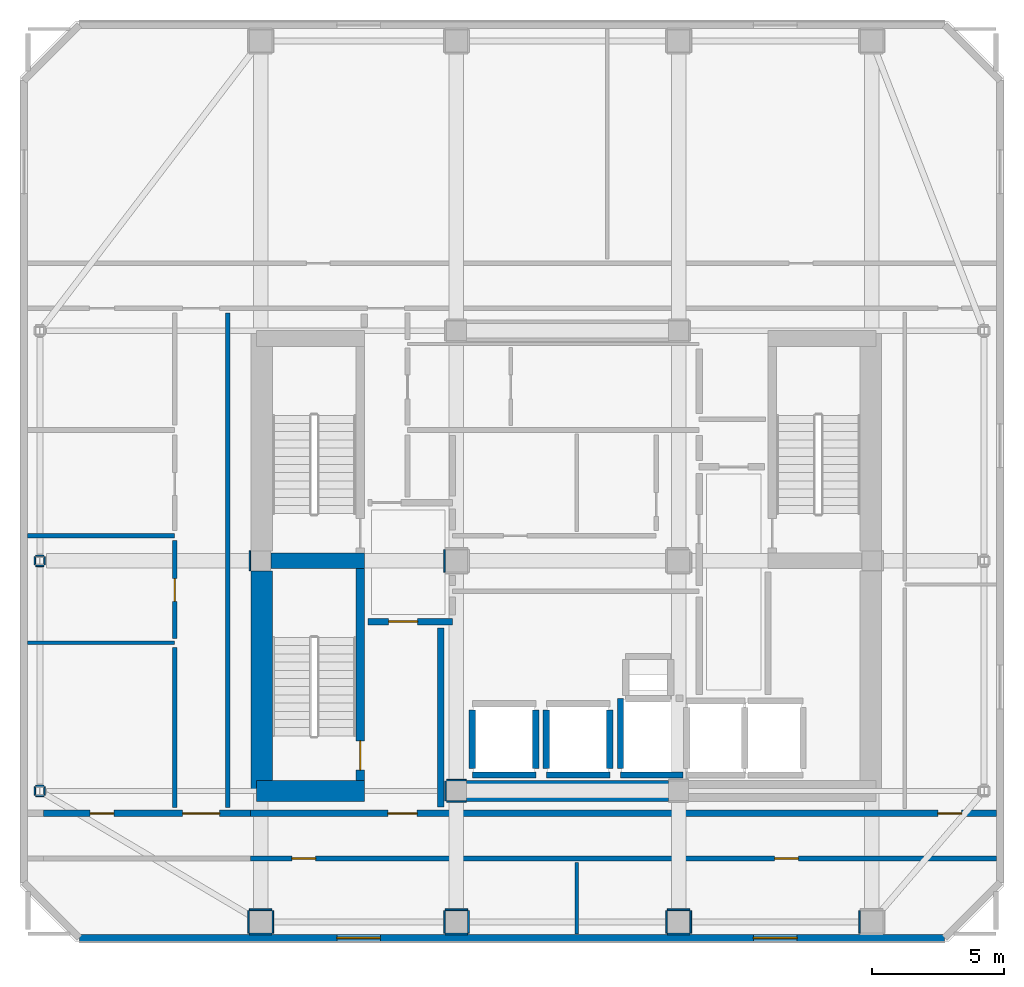
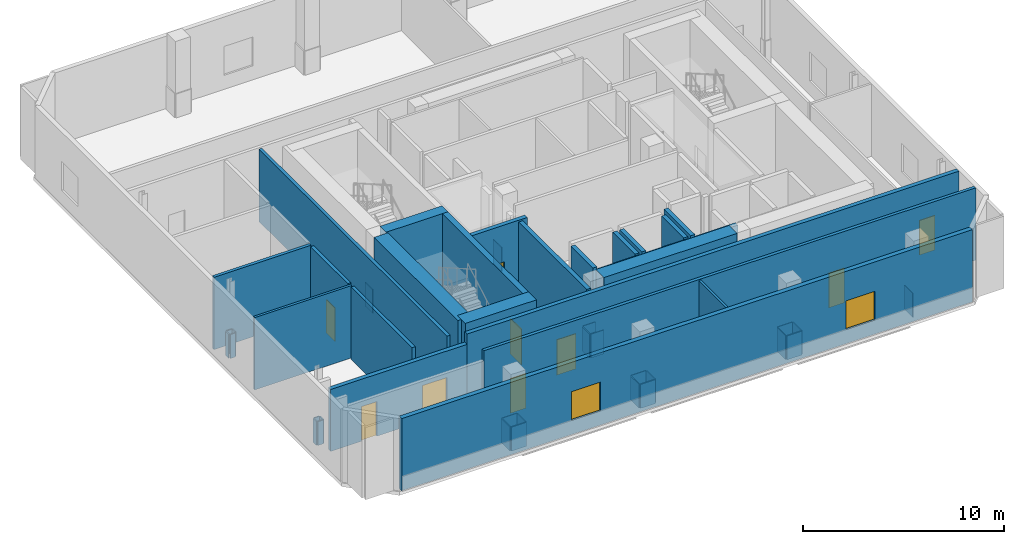
# One storey, part 4 of 10: 51 walls, 9 doors, 2 windows, 11 openings.
"""IFC4 building model written with IfcOpenShell, lengths in metres."""

from ifc_helpers import new_model, si_unit, direction, frame, frame_2d, origin, place, context, subcontext, project, spatial, rectangle, extrude, material, layer, layer_set, type_object, element, fill, save


model = new_model("IFC4")

# Units and contexts
model_context = context("Model", 3, precision=1e-05, world=origin(), true_north=direction((0.0, 1.0)))
body_context = subcontext(model_context, "Body", "Model", "MODEL_VIEW")
ifc_project = project(units=[si_unit("LENGTHUNIT", "METRE"), si_unit("AREAUNIT", "SQUARE_METRE"), si_unit("VOLUMEUNIT", "CUBIC_METRE"), si_unit("PLANEANGLEUNIT", "RADIAN"), si_unit("MASSUNIT", "GRAM", prefix="KILO")], contexts=[model_context])

# Site, building, storey
site_placement = place(None, origin())
site = spatial("IfcSite", under=ifc_project, at=site_placement, CompositionType="ELEMENT")
building_placement = place(site_placement, origin())
building = spatial("IfcBuilding", under=site, at=building_placement, Name="Solanera Arch Residences", CompositionType="ELEMENT")
storey_placement = place(building_placement, frame((0.0, 0.0, 268.8798828125)))
storey = spatial("IfcBuildingStorey", under=building, at=storey_placement, Name="L78", CompositionType="ELEMENT", Elevation=268.8798828125)

# Walls
ifc_material_1 = material(Name="Fire-Rated Gypsum Stud Partition", Category="gypsum")
ifc_layer_1 = layer(ifc_material_1, 0.06005859375)
ifc_layer_set_1 = layer_set([ifc_layer_1], Name="Fire-Rated Gypsum Stud Partition")
wall_type_1 = type_object("IfcWallType", Name="Column Acoustic Furring Wall 60", PredefinedType="PARTITIONING", material=ifc_layer_set_1)
for number, where, z_axis, x_axis, name in (
    (1, (20.425048828125, 21.593017578125, 0.0), (0.0, 0.0, 1.0), (1.0, 0.0, 0.0), "L78 Column Furring 1S"),
    (2, (20.425048828125, 22.406982421875, 0.0), (0.0, 0.0, 1.0), (1.0, 0.0, 0.0), "L78 Column Furring 1N"),
):
    element("IfcWall", number, at=place(storey_placement, frame(where, z_axis=z_axis, x_axis=x_axis)), inside=storey, type_object=wall_type_1, Name=name, PredefinedType="PARTITIONING", context=body_context, shape_type="SweptSolid", body=[
        extrude(rectangle(XDim=0.741943359375, YDim=0.06005859375, at=frame_2d((0.37109375, 0.0))), origin(), (0.0, 0.0, 1.0), 1.4501953125),
    ])
for number, where, z_axis, x_axis, name in (
    (3, (20.39306640625, 21.625, 0.0), (0.0, 0.0, 1.0), (0.0, 1.0, 0.0), "L78 Column Furring 1W"),
    (4, (12.992919921875, 30.324951171875, 0.0), (0.0, 0.0, 1.0), (0.0, 1.0, 0.0), "L78 Column Furring 5W"),
):
    element("IfcWall", number, at=place(storey_placement, frame(where, z_axis=z_axis, x_axis=x_axis)), inside=storey, type_object=wall_type_1, Name=name, PredefinedType="PARTITIONING", context=body_context, shape_type="SweptSolid", body=[
        extrude(rectangle(XDim=0.75, YDim=0.06005859375, at=frame_2d((0.375, 0.0))), origin(), (0.0, 0.0, 1.0), 1.4501953125),
    ])
wall_1_placement = place(storey_placement, frame((20.343017578125, 30.27490234375, 0.0), z_axis=(0.0, 0.0, 1.0), x_axis=(0.0, 1.0, 0.0)))
element("IfcWall", 5, at=wall_1_placement, inside=storey, type_object=wall_type_1, Name="L78 Column Furring 7W", PredefinedType="PARTITIONING", context=body_context, shape_type="SweptSolid", body=[
    extrude(rectangle(XDim=0.85009765625, YDim=0.06005859375, at=frame_2d((0.425048828125, 0.0))), origin(), (0.0, 0.0, 1.0), 1.4501953125),
])
for number, where, z_axis, x_axis, name in (
    (6, (12.97509765625, 16.593017578125, 0.0), (0.0, 0.0, 1.0), (1.0, 0.0, 0.0), "L78 Column Furring 9S"),
    (7, (12.97509765625, 17.507080078125, 0.0), (0.0, 0.0, 1.0), (1.0, 0.0, 0.0), "L78 Column Furring 9N"),
):
    element("IfcWall", number, at=place(storey_placement, frame(where, z_axis=z_axis, x_axis=x_axis)), inside=storey, type_object=wall_type_1, Name=name, PredefinedType="PARTITIONING", context=body_context, shape_type="SweptSolid", body=[
        extrude(rectangle(XDim=0.849853515625, YDim=0.06005859375, at=frame_2d((0.4248046875, 0.0))), origin(), (0.0, 0.0, 1.0), 1.4501953125),
    ])
for number, where, z_axis, x_axis, name in (
    (8, (12.943115234375, 16.625, 0.0), (0.0, 0.0, 1.0), (0.0, 1.0, 0.0), "L78 Column Furring 9W"),
    (9, (13.85693359375, 16.625, 0.0), (0.0, 0.0, 1.0), (0.0, 1.0, 0.0), "L78 Column Furring 9E"),
    (10, (20.375, 16.593017578125, 0.0), (0.0, 0.0, 1.0), (1.0, 0.0, 0.0), "L78 Column Furring 11S"),
    (11, (20.375, 17.507080078125, 0.0), (0.0, 0.0, 1.0), (1.0, 0.0, 0.0), "L78 Column Furring 11N"),
    (12, (20.343017578125, 16.625, 0.0), (0.0, 0.0, 1.0), (0.0, 1.0, 0.0), "L78 Column Furring 11W"),
    (13, (21.257080078125, 16.625, 0.0), (0.0, 0.0, 1.0), (0.0, 1.0, 0.0), "L78 Column Furring 11E"),
    (14, (28.77490234375, 16.593017578125, 0.0), (0.0, 0.0, 1.0), (1.0, 0.0, 0.0), "L78 Column Furring 13S"),
    (15, (28.77490234375, 17.507080078125, 0.0), (0.0, 0.0, 1.0), (1.0, 0.0, 0.0), "L78 Column Furring 13N"),
    (16, (28.742919921875, 16.625, 0.0), (0.0, 0.0, 1.0), (0.0, 1.0, 0.0), "L78 Column Furring 13W"),
    (17, (29.656982421875, 16.625, 0.0), (0.0, 0.0, 1.0), (0.0, 1.0, 0.0), "L78 Column Furring 13E"),
    (18, (36.04296875, 16.625, 0.0), (0.0, 0.0, 1.0), (0.0, 1.0, 0.0), "L78 Column Furring 15W"),
):
    element("IfcWall", number, at=place(storey_placement, frame(where, z_axis=z_axis, x_axis=x_axis)), inside=storey, type_object=wall_type_1, Name=name, PredefinedType="PARTITIONING", context=body_context, shape_type="SweptSolid", body=[
        extrude(rectangle(XDim=0.85009765625, YDim=0.06005859375, at=frame_2d((0.425048828125, 0.0))), origin(), (0.0, 0.0, 1.0), 1.4501953125),
    ])
for number, where, z_axis, x_axis, name in (
    (19, (4.89697265625, 21.81396484375, 0.0), (0.0, 0.0, 1.0), (1.0, 0.0, 0.0), "L78 Column Furring 17S"),
    (20, (4.89697265625, 22.18603515625, 0.0), (0.0, 0.0, 1.0), (1.0, 0.0, 0.0), "L78 Column Furring 17N"),
):
    element("IfcWall", number, at=place(storey_placement, frame(where, z_axis=z_axis, x_axis=x_axis)), inside=storey, type_object=wall_type_1, Name=name, PredefinedType="PARTITIONING", context=body_context, shape_type="SweptSolid", body=[
        extrude(rectangle(XDim=0.304931640625, YDim=0.06005859375, at=frame_2d((0.15234375, 0.0))), origin(), (0.0, 0.0, 1.0), 1.4501953125),
    ])
for number, where, z_axis, x_axis, name in (
    (21, (4.864990234375, 21.845947265625, 0.0), (0.0, 0.0, 1.0), (0.0, 1.0, 0.0), "L78 Column Furring 17W"),
    (22, (5.23388671875, 21.845947265625, 0.0), (0.0, 0.0, 1.0), (0.0, 1.0, 0.0), "L78 Column Furring 17E"),
):
    element("IfcWall", number, at=place(storey_placement, frame(where, z_axis=z_axis, x_axis=x_axis)), inside=storey, type_object=wall_type_1, Name=name, PredefinedType="PARTITIONING", context=body_context, shape_type="SweptSolid", body=[
        extrude(rectangle(XDim=0.30810546875, YDim=0.06005859375, at=frame_2d((0.154052734375, 0.0))), origin(), (0.0, 0.0, 1.0), 1.4501953125),
    ])
for number, where, z_axis, x_axis, name in (
    (23, (4.89697265625, 30.513916015625, 0.0), (0.0, 0.0, 1.0), (1.0, 0.0, 0.0), "L78 Column Furring 19S"),
    (24, (4.89697265625, 30.885986328125, 0.0), (0.0, 0.0, 1.0), (1.0, 0.0, 0.0), "L78 Column Furring 19N"),
):
    element("IfcWall", number, at=place(storey_placement, frame(where, z_axis=z_axis, x_axis=x_axis)), inside=storey, type_object=wall_type_1, Name=name, PredefinedType="PARTITIONING", context=body_context, shape_type="SweptSolid", body=[
        extrude(rectangle(XDim=0.304931640625, YDim=0.06005859375, at=frame_2d((0.15234375, 0.0))), origin(), (0.0, 0.0, 1.0), 1.4501953125),
    ])
for number, where, z_axis, x_axis, name in (
    (25, (4.864990234375, 30.5458984375, 0.0), (0.0, 0.0, 1.0), (0.0, 1.0, 0.0), "L78 Column Furring 19W"),
    (26, (5.23388671875, 30.5458984375, 0.0), (0.0, 0.0, 1.0), (0.0, 1.0, 0.0), "L78 Column Furring 19E"),
):
    element("IfcWall", number, at=place(storey_placement, frame(where, z_axis=z_axis, x_axis=x_axis)), inside=storey, type_object=wall_type_1, Name=name, PredefinedType="PARTITIONING", context=body_context, shape_type="SweptSolid", body=[
        extrude(rectangle(XDim=0.30810546875, YDim=0.06005859375, at=frame_2d((0.154052734375, 0.0))), origin(), (0.0, 0.0, 1.0), 1.4501953125),
    ])

# Wall, opening, door
ifc_material_2 = material(Name="Concrete C40/50 (f'c = 45 MPa)", Category="concrete")
ifc_layer_2 = layer(ifc_material_2, 0.320068359375)
ifc_layer_set_2 = layer_set([ifc_layer_2], Name="Concrete C40/50 (f'c = 45 MPa)")
wall_type_2 = type_object("IfcWallType", Name="Core Shear Wall CW-320", PredefinedType="SHEAR", material=ifc_layer_set_2)
wall_2_placement = place(storey_placement, frame((17.159912109375, 22.39990234375, 0.0), z_axis=(0.0, 0.0, 1.0), x_axis=(0.0, 1.0, 0.0)))
wall_2 = element("IfcWall", 27, at=wall_2_placement, inside=storey, type_object=wall_type_2, Name="L78 Stair ST-T3 East Shear Wall", PredefinedType="SHEAR", context=body_context, shape_type="SweptSolid", body=[
    extrude(rectangle(XDim=8.0, YDim=0.320068359375, at=frame_2d((4.0, 0.0))), origin(), (0.0, 0.0, 1.0), 4.60009765625),
])
opening_1_placement = place(wall_2_placement, frame((0.389892578125, 0.0, 0.0)))
opening_1 = element("IfcOpeningElement", 28, at=opening_1_placement, cuts=wall_2, Name="Opening DF-01", PredefinedType="OPENING", context=body_context, shape_type="SweptSolid", body=[
    extrude(rectangle(XDim=1.10009765625, YDim=2.14990234375, at=frame_2d((0.550048828125, 1.074951171875))), frame((0.0, 0.169921875, 0.0), z_axis=(0.0, -1.0, 0.0), x_axis=(1.0, 0.0, 0.0)), (0.0, 0.0, 1.0), 0.3401),
])
ifc_material_3 = material(Name="Fire-Rated Architectural Hardwood", Category="wood")
door_type_1 = type_object("IfcDoorType", Name="Stair Exit Fire Door DF-01", OperationType="NOTDEFINED", PredefinedType="DOOR", material=ifc_material_3)
door_1_placement = place(opening_1_placement, origin())
door_1 = element("IfcDoor", 29, at=door_1_placement, inside=storey, type_object=door_type_1, Name="DR-L78-STAIR-ST-T3", OperationType="SINGLE_SWING_LEFT", OverallHeight=2.14990234375, OverallWidth=1.10009765625, PredefinedType="DOOR", context=body_context, shape_type="SweptSolid", body=[
    extrude(rectangle(XDim=1.10009765625, YDim=2.14990234375, at=frame_2d((0.550048828125, 1.074951171875))), frame((0.0, 0.02490234375, 0.0), z_axis=(0.0, -1.0, 0.0), x_axis=(1.0, 0.0, 0.0)), (0.0, 0.0, 1.0), 0.050048828125),
])
fill(opening_1, door_1)

# Walls
ifc_material_4 = material(Name="Concrete C40/50 (f'c = 45 MPa)", Category="concrete")
ifc_layer_3 = layer(ifc_material_4, 0.60009765625)
ifc_layer_set_3 = layer_set([ifc_layer_3], Name="Concrete C40/50 (f'c = 45 MPa)")
wall_type_3 = type_object("IfcWallType", Name="Core Shear Wall CW-600", PredefinedType="SHEAR", material=ifc_layer_set_3)
wall_3_placement = place(storey_placement, frame((13.780029296875, 30.699951171875, 0.0), z_axis=(0.0, 0.0, 1.0), x_axis=(1.0, 0.0, 0.0)))
element("IfcWall", 30, at=wall_3_placement, inside=storey, type_object=wall_type_3, Name="L78 West Stair Divider Shear Wall", PredefinedType="SHEAR", context=body_context, shape_type="SweptSolid", body=[
    extrude(rectangle(XDim=3.5400390625, YDim=0.60009765625, at=frame_2d((1.77001953125, 0.0))), origin(), (0.0, 0.0, 1.0), 4.60009765625),
])
ifc_material_5 = material(Name="Concrete C40/50 (f'c = 45 MPa)", Category="concrete")
ifc_layer_4 = layer(ifc_material_5, 0.800048828125)
ifc_layer_set_4 = layer_set([ifc_layer_4], Name="Concrete C40/50 (f'c = 45 MPa)")
wall_type_4 = type_object("IfcWallType", Name="Core Shear Wall CW-800", PredefinedType="SHEAR", material=ifc_layer_set_4)
wall_4_placement = place(storey_placement, frame((13.43994140625, 22.0, 0.0), z_axis=(0.0, 0.0, 1.0), x_axis=(0.0, 1.0, 0.0)))
element("IfcWall", 31, at=wall_4_placement, inside=storey, type_object=wall_type_4, Name="L78 West Core South Shear Wall", PredefinedType="SHEAR", context=body_context, shape_type="SweptSolid", body=[
    extrude(rectangle(XDim=8.320068359375, YDim=0.800048828125, at=frame_2d((4.16015625, 0.0))), origin(), (0.0, 0.0, 1.0), 4.60009765625),
])
wall_5_placement = place(storey_placement, frame((13.239990234375, 22.0, 0.0), z_axis=(0.0, 0.0, 1.0), x_axis=(1.0, 0.0, 0.0)))
element("IfcWall", 32, at=wall_5_placement, inside=storey, type_object=wall_type_4, Name="L78 South-West Core Shear Wall", PredefinedType="SHEAR", context=body_context, shape_type="SweptSolid", body=[
    extrude(rectangle(XDim=4.080078125, YDim=0.800048828125, at=frame_2d((2.0400390625, 0.0))), origin(), (0.0, 0.0, 1.0), 4.60009765625),
])
wall_6_placement = place(storey_placement, frame((21.179931640625, 22.0, 0.0), z_axis=(0.0, 0.0, 1.0), x_axis=(1.0, 0.0, 0.0)))
element("IfcWall", 33, at=wall_6_placement, inside=storey, type_object=wall_type_4, Name="L78 Central South Core Shear Wall", PredefinedType="SHEAR", context=body_context, shape_type="SweptSolid", body=[
    extrude(rectangle(XDim=7.64013671875, YDim=0.800048828125, at=frame_2d((3.820068359375, 0.0))), origin(), (0.0, 0.0, 1.0), 4.60009765625),
])

# Wall, openings, doors
ifc_material_6 = material(Name="Autoclaved Aerated Concrete Blockwork", Category="masonry")
ifc_layer_5 = layer(ifc_material_6, 0.179931640625)
ifc_layer_set_5 = layer_set([ifc_layer_5], Name="Autoclaved Aerated Concrete Blockwork")
wall_type_5 = type_object("IfcWallType", Name="Corridor Fire Partition 180", PredefinedType="PARTITIONING", material=ifc_layer_set_5)
wall_7_placement = place(storey_placement, frame((13.011962890625, 19.449951171875, 0.0), z_axis=(0.0, 0.0, 1.0), x_axis=(1.0, 0.0, 0.0)))
wall_7 = element("IfcWall", 34, at=wall_7_placement, inside=storey, type_object=wall_type_5, Name="L78 Interior Partition H6 3", PredefinedType="PARTITIONING", context=body_context, shape_type="SweptSolid", body=[
    extrude(rectangle(XDim=28.200927734375, YDim=0.179931640625, at=frame_2d((14.1005859375, 0.0))), origin(), (0.0, 0.0, 1.0), 4.380126953125),
])
opening_2_placement = place(wall_7_placement, frame((1.56201171875, 0.0, 0.0)))
opening_2 = element("IfcOpeningElement", 35, at=opening_2_placement, cuts=wall_7, Name="Opening DI-02", PredefinedType="OPENING", context=body_context, shape_type="SweptSolid", body=[
    extrude(rectangle(XDim=0.89990234375, YDim=2.10009765625, at=frame_2d((0.449951171875, 1.050048828125))), frame((0.0, 0.10009765625, 0.0), z_axis=(0.0, -1.0, 0.0), x_axis=(1.0, 0.0, 0.0)), (0.0, 0.0, 1.0), 0.1999),
])
opening_3_placement = place(wall_7_placement, frame((19.81396484375, 0.0, 0.0)))
opening_3 = element("IfcOpeningElement", 36, at=opening_3_placement, cuts=wall_7, Name="Opening DI-02", PredefinedType="OPENING", context=body_context, shape_type="SweptSolid", body=[
    extrude(rectangle(XDim=0.89990234375, YDim=2.10009765625, at=frame_2d((0.449951171875, 1.050048828125))), frame((0.0, 0.10009765625, 0.0), z_axis=(0.0, -1.0, 0.0), x_axis=(1.0, 0.0, 0.0)), (0.0, 0.0, 1.0), 0.1999),
])
ifc_material_7 = material(Name="Fire-Rated Architectural Hardwood", Category="wood")
door_type_2 = type_object("IfcDoorType", Name="Suite Room Swing Door DI-02", OperationType="NOTDEFINED", PredefinedType="DOOR", material=ifc_material_7)
door_2_placement = place(opening_2_placement, origin())
door_2 = element("IfcDoor", 37, at=door_2_placement, inside=storey, type_object=door_type_2, Name="DR-L78-IN-016", OperationType="SINGLE_SWING_RIGHT", OverallHeight=2.10009765625, OverallWidth=0.89990234375, PredefinedType="DOOR", context=body_context, shape_type="SweptSolid", body=[
    extrude(rectangle(XDim=0.89990234375, YDim=2.10009765625, at=frame_2d((0.449951171875, 1.050048828125))), frame((0.0, 0.02490234375, 0.0), z_axis=(0.0, -1.0, 0.0), x_axis=(1.0, 0.0, 0.0)), (0.0, 0.0, 1.0), 0.050048828125),
])
fill(opening_2, door_2)
door_3_placement = place(opening_3_placement, origin())
door_3 = element("IfcDoor", 38, at=door_3_placement, inside=storey, type_object=door_type_2, Name="DR-L78-IN-017", OperationType="SINGLE_SWING_LEFT", OverallHeight=2.10009765625, OverallWidth=0.89990234375, PredefinedType="DOOR", context=body_context, shape_type="SweptSolid", body=[
    extrude(rectangle(XDim=0.89990234375, YDim=2.10009765625, at=frame_2d((0.449951171875, 1.050048828125))), frame((0.0, 0.02490234375, 0.0), z_axis=(0.0, -1.0, 0.0), x_axis=(1.0, 0.0, 0.0)), (0.0, 0.0, 1.0), 0.050048828125),
])
fill(opening_3, door_3)

# Walls
wall_8_placement = place(storey_placement, frame((4.5869140625, 31.64990234375, 0.0), z_axis=(0.0, 0.0, 1.0), x_axis=(1.0, 0.0, 0.0)))
element("IfcWall", 39, at=wall_8_placement, inside=storey, type_object=wall_type_5, Name="L78 Interior Partition H8", PredefinedType="PARTITIONING", context=body_context, shape_type="SweptSolid", body=[
    extrude(rectangle(XDim=5.56298828125, YDim=0.179931640625, at=frame_2d((2.781494140625, 0.0))), origin(), (0.0, 0.0, 1.0), 4.380126953125),
])
wall_9_placement = place(storey_placement, frame((10.14990234375, 21.367919921875, 0.0), z_axis=(0.0, 0.0, 1.0), x_axis=(0.0, 1.0, 0.0)))
element("IfcWall", 40, at=wall_9_placement, inside=storey, type_object=wall_type_5, Name="L78 Interior Partition V7 1", PredefinedType="PARTITIONING", context=body_context, shape_type="SweptSolid", body=[
    extrude(rectangle(XDim=6.06396484375, YDim=0.179931640625, at=frame_2d((3.031982421875, 0.0))), origin(), (0.0, 0.0, 1.0), 4.380126953125),
])

# Wall, opening, door
wall_10_placement = place(storey_placement, frame((10.14990234375, 27.76806640625, 0.0), z_axis=(0.0, 0.0, 1.0), x_axis=(0.0, 1.0, 0.0)))
wall_10 = element("IfcWall", 41, at=wall_10_placement, inside=storey, type_object=wall_type_5, Name="L78 Interior Partition V7 2", PredefinedType="PARTITIONING", context=body_context, shape_type="SweptSolid", body=[
    extrude(rectangle(XDim=3.69384765625, YDim=0.179931640625, at=frame_2d((1.846923828125, 0.0))), origin(), (0.0, 0.0, 1.0), 4.380126953125),
])
opening_4_placement = place(wall_10_placement, frame((1.402099609375, 0.0, 0.0)))
opening_4 = element("IfcOpeningElement", 42, at=opening_4_placement, cuts=wall_10, Name="Opening DI-05", PredefinedType="OPENING", context=body_context, shape_type="SweptSolid", body=[
    extrude(rectangle(XDim=0.860107421875, YDim=2.02001953125, at=frame_2d((0.43017578125, 1.010009765625))), frame((0.0, 0.10009765625, 0.0), z_axis=(0.0, -1.0, 0.0), x_axis=(1.0, 0.0, 0.0)), (0.0, 0.0, 1.0), 0.1999),
])
ifc_material_8 = material(Name="Fire-Rated Architectural Hardwood", Category="wood")
door_type_3 = type_object("IfcDoorType", Name="Bathroom Swing Door DI-05", OperationType="NOTDEFINED", PredefinedType="DOOR", material=ifc_material_8)
door_4_placement = place(opening_4_placement, origin())
door_4 = element("IfcDoor", 43, at=door_4_placement, inside=storey, type_object=door_type_3, Name="DR-L78-IN-021", OperationType="SINGLE_SWING_LEFT", OverallHeight=2.02001953125, OverallWidth=0.860107421875, PredefinedType="DOOR", context=body_context, shape_type="SweptSolid", body=[
    extrude(rectangle(XDim=0.860107421875, YDim=2.02001953125, at=frame_2d((0.43017578125, 1.010009765625))), frame((0.0, 0.02490234375, 0.0), z_axis=(0.0, -1.0, 0.0), x_axis=(1.0, 0.0, 0.0)), (0.0, 0.0, 1.0), 0.050048828125),
])
fill(opening_4, door_4)

# Wall
wall_11_placement = place(storey_placement, frame((12.14990234375, 21.367919921875, 0.0), z_axis=(0.0, 0.0, 1.0), x_axis=(0.0, 1.0, 0.0)))
element("IfcWall", 44, at=wall_11_placement, inside=storey, type_object=wall_type_5, Name="L78 Interior Partition V8", PredefinedType="PARTITIONING", context=body_context, shape_type="SweptSolid", body=[
    extrude(rectangle(XDim=18.694091796875, YDim=0.179931640625, at=frame_2d((9.34716796875, 0.0))), origin(), (0.0, 0.0, 1.0), 4.380126953125),
])

# Wall, openings, windows
ifc_material_9 = material(Name="Precast Concrete C35/45", Category="concrete")
ifc_layer_6 = layer(ifc_material_9, 0.260009765625)
ifc_layer_set_6 = layer_set([ifc_layer_6], Name="Precast Concrete C35/45")
wall_type_6 = type_object("IfcWallType", Name="Exterior Wall Precast Masonry-Frame 260", PredefinedType="STANDARD", material=ifc_layer_set_6)
wall_12_placement = place(storey_placement, frame((39.2548828125, 16.445068359375, 0.0), z_axis=(0.0, 0.0, 1.0), x_axis=(-1.0, 0.0, 0.0)))
wall_12 = element("IfcWall", 45, at=wall_12_placement, inside=storey, type_object=wall_type_6, Name="L78 Tower Exterior Precast Masonry-Frame Wall S", PredefinedType="STANDARD", context=body_context, shape_type="SweptSolid", body=[
    extrude(rectangle(XDim=32.7099609375, YDim=0.260009765625, at=frame_2d((16.35498046875, 0.0))), origin(), (0.0, 0.0, 1.0), 4.380126953125),
])
opening_5_placement = place(wall_12_placement, frame((21.330078125, 0.0, 0.85009765625)))
opening_5 = element("IfcOpeningElement", 46, at=opening_5_placement, cuts=wall_12, Name="Opening W-08", PredefinedType="OPENING", context=body_context, shape_type="SweptSolid", body=[
    extrude(rectangle(XDim=1.64990234375, YDim=1.75, at=frame_2d((0.824951171875, 0.875))), frame((0.0, 0.139892578125, 0.0), z_axis=(0.0, -1.0, 0.0), x_axis=(1.0, 0.0, 0.0)), (0.0, 0.0, 1.0), 0.28),
])
opening_6_placement = place(wall_12_placement, frame((5.580078125, 0.0, 0.85009765625)))
opening_6 = element("IfcOpeningElement", 47, at=opening_6_placement, cuts=wall_12, Name="Opening W-08", PredefinedType="OPENING", context=body_context, shape_type="SweptSolid", body=[
    extrude(rectangle(XDim=1.64990234375, YDim=1.75, at=frame_2d((0.824951171875, 0.875))), frame((0.0, 0.139892578125, 0.0), z_axis=(0.0, -1.0, 0.0), x_axis=(1.0, 0.0, 0.0)), (0.0, 0.0, 1.0), 0.28),
])
ifc_material_10 = material(Name="Double Glazed Low-E Laminated Glass", Category="glass")
window_type = type_object("IfcWindowType", Name="Punched Window W-08", PartitioningType="DOUBLE_PANEL_HORIZONTAL", PredefinedType="WINDOW", material=ifc_material_10)
window_1_placement = place(opening_5_placement, origin())
window_1 = element("IfcWindow", 48, at=window_1_placement, inside=storey, type_object=window_type, Name="L78 OBS-S Punched Window", OverallHeight=1.75, OverallWidth=1.64990234375, PartitioningType="SINGLE_PANEL", PredefinedType="WINDOW", context=body_context, shape_type="SweptSolid", body=[
    extrude(rectangle(XDim=1.64990234375, YDim=1.75, at=frame_2d((0.824951171875, 0.875))), frame((0.0, 0.030029296875, 0.0), z_axis=(0.0, -1.0, 0.0), x_axis=(1.0, 0.0, 0.0)), (0.0, 0.0, 1.0), 0.06005859375),
])
fill(opening_5, window_1)
window_2_placement = place(opening_6_placement, origin())
window_2 = element("IfcWindow", 49, at=window_2_placement, inside=storey, type_object=window_type, Name="L78 OBS-EXH Punched Window", OverallHeight=1.75, OverallWidth=1.64990234375, PartitioningType="SINGLE_PANEL", PredefinedType="WINDOW", context=body_context, shape_type="SweptSolid", body=[
    extrude(rectangle(XDim=1.64990234375, YDim=1.75, at=frame_2d((0.824951171875, 0.875))), frame((0.0, 0.030029296875, 0.0), z_axis=(0.0, -1.0, 0.0), x_axis=(1.0, 0.0, 0.0)), (0.0, 0.0, 1.0), 0.06005859375),
])
fill(opening_6, window_2)

# Walls
ifc_material_11 = material(Name="Autoclaved Aerated Concrete Blockwork", Category="masonry")
ifc_layer_7 = layer(ifc_material_11, 0.239990234375)
ifc_layer_set_7 = layer_set([ifc_layer_7], Name="Autoclaved Aerated Concrete Blockwork")
wall_type_7 = type_object("IfcWallType", Name="Shaft Wall Fire-Rated 240", PredefinedType="PARTITIONING", material=ifc_layer_set_7)
wall_13_placement = place(storey_placement, frame((21.39990234375, 22.60009765625, 0.0), z_axis=(0.0, 0.0, 1.0), x_axis=(1.0, 0.0, 0.0)))
element("IfcWall", 50, at=wall_13_placement, inside=storey, type_object=wall_type_7, Name="L78 Lift PL-OBS1 Hoistway Wall S", PredefinedType="PARTITIONING", context=body_context, shape_type="SweptSolid", body=[
    extrude(rectangle(XDim=2.400146484375, YDim=0.239990234375, at=frame_2d((1.2001953125, 0.0))), origin(), (0.0, 0.0, 1.0), 4.380126953125),
])
for number, where, z_axis, x_axis, name in (
    (51, (21.39990234375, 22.847900390625, 0.0), (0.0, 0.0, 1.0), (0.0, 1.0, 0.0), "L78 Lift PL-OBS1 Hoistway Wall W"),
    (52, (23.800048828125, 22.847900390625, 0.0), (0.0, 0.0, 1.0), (0.0, 1.0, 0.0), "L78 Lift PL-OBS1 Hoistway Wall E"),
):
    element("IfcWall", number, at=place(storey_placement, frame(where, z_axis=z_axis, x_axis=x_axis)), inside=storey, type_object=wall_type_7, Name=name, PredefinedType="PARTITIONING", context=body_context, shape_type="SweptSolid", body=[
        extrude(rectangle(XDim=2.2041015625, YDim=0.239990234375, at=frame_2d((1.10205078125, 0.0))), origin(), (0.0, 0.0, 1.0), 4.380126953125),
    ])
wall_14_placement = place(storey_placement, frame((24.199951171875, 22.60009765625, 0.0), z_axis=(0.0, 0.0, 1.0), x_axis=(1.0, 0.0, 0.0)))
element("IfcWall", 53, at=wall_14_placement, inside=storey, type_object=wall_type_7, Name="L78 Lift PL-OBS2 Hoistway Wall S", PredefinedType="PARTITIONING", context=body_context, shape_type="SweptSolid", body=[
    extrude(rectangle(XDim=2.400146484375, YDim=0.239990234375, at=frame_2d((1.2001953125, 0.0))), origin(), (0.0, 0.0, 1.0), 4.380126953125),
])
for number, where, z_axis, x_axis, name in (
    (54, (24.199951171875, 22.847900390625, 0.0), (0.0, 0.0, 1.0), (0.0, 1.0, 0.0), "L78 Lift PL-OBS2 Hoistway Wall W"),
    (55, (26.60009765625, 22.847900390625, 0.0), (0.0, 0.0, 1.0), (0.0, 1.0, 0.0), "L78 Lift PL-OBS2 Hoistway Wall E"),
):
    element("IfcWall", number, at=place(storey_placement, frame(where, z_axis=z_axis, x_axis=x_axis)), inside=storey, type_object=wall_type_7, Name=name, PredefinedType="PARTITIONING", context=body_context, shape_type="SweptSolid", body=[
        extrude(rectangle(XDim=2.2041015625, YDim=0.239990234375, at=frame_2d((1.10205078125, 0.0))), origin(), (0.0, 0.0, 1.0), 4.380126953125),
    ])
wall_15_placement = place(storey_placement, frame((27.0, 22.60009765625, 0.0), z_axis=(0.0, 0.0, 1.0), x_axis=(1.0, 0.0, 0.0)))
element("IfcWall", 56, at=wall_15_placement, inside=storey, type_object=wall_type_7, Name="L78 Lift SVL-1 Hoistway Wall S", PredefinedType="PARTITIONING", context=body_context, shape_type="SweptSolid", body=[
    extrude(rectangle(XDim=2.3720703125, YDim=0.239990234375, at=frame_2d((1.18603515625, 0.0))), origin(), (0.0, 0.0, 1.0), 4.380126953125),
])
wall_16_placement = place(storey_placement, frame((27.0, 22.847900390625, 0.0), z_axis=(0.0, 0.0, 1.0), x_axis=(0.0, 1.0, 0.0)))
element("IfcWall", 57, at=wall_16_placement, inside=storey, type_object=wall_type_7, Name="L78 Lift SVL-1 Hoistway Wall W", PredefinedType="PARTITIONING", context=body_context, shape_type="SweptSolid", body=[
    extrude(rectangle(XDim=2.650146484375, YDim=0.239990234375, at=frame_2d((1.3251953125, 0.0))), origin(), (0.0, 0.0, 1.0), 4.380126953125),
])

# Wall, openings, doors
wall_17_placement = place(storey_placement, frame((5.193115234375, 21.14990234375, 0.0), z_axis=(0.0, 0.0, 1.0), x_axis=(1.0, 0.0, 0.0)))
wall_17 = element("IfcWall", 58, at=wall_17_placement, inside=storey, type_object=wall_type_7, Name="L78 Interior Partition H1 2", PredefinedType="PARTITIONING", context=body_context, shape_type="SweptSolid", body=[
    extrude(rectangle(XDim=7.81884765625, YDim=0.239990234375, at=frame_2d((3.909423828125, 0.0))), origin(), (0.0, 0.0, 1.0), 3.757080078125),
])
opening_7_placement = place(wall_17_placement, frame((5.257080078125, 0.0, 0.0)))
opening_7 = element("IfcOpeningElement", 59, at=opening_7_placement, cuts=wall_17, Name="Opening DF-03", PredefinedType="OPENING", context=body_context, shape_type="SweptSolid", body=[
    extrude(rectangle(XDim=1.39990234375, YDim=2.14990234375, at=frame_2d((0.699951171875, 1.074951171875))), frame((0.0, 0.1298828125, 0.0), z_axis=(0.0, -1.0, 0.0), x_axis=(1.0, 0.0, 0.0)), (0.0, 0.0, 1.0), 0.26),
])
opening_8_placement = place(wall_17_placement, frame((1.756103515625, 0.0, 0.0)))
opening_8 = element("IfcOpeningElement", 60, at=opening_8_placement, cuts=wall_17, Name="Opening DI-02", PredefinedType="OPENING", context=body_context, shape_type="SweptSolid", body=[
    extrude(rectangle(XDim=0.89990234375, YDim=2.10009765625, at=frame_2d((0.449951171875, 1.050048828125))), frame((0.0, 0.1298828125, 0.0), z_axis=(0.0, -1.0, 0.0), x_axis=(1.0, 0.0, 0.0)), (0.0, 0.0, 1.0), 0.26),
])
ifc_material_12 = material(Name="Fire-Rated Architectural Hardwood", Category="wood")
door_type_4 = type_object("IfcDoorType", Name="Corridor Smoke Door DF-03", OperationType="NOTDEFINED", PredefinedType="DOOR", material=ifc_material_12)
door_5_placement = place(opening_7_placement, origin())
door_5 = element("IfcDoor", 61, at=door_5_placement, inside=storey, type_object=door_type_4, Name="DR-L78-IN-011", OperationType="SINGLE_SWING_LEFT", OverallHeight=2.14990234375, OverallWidth=1.39990234375, PredefinedType="DOOR", context=body_context, shape_type="SweptSolid", body=[
    extrude(rectangle(XDim=1.39990234375, YDim=2.14990234375, at=frame_2d((0.699951171875, 1.074951171875))), frame((0.0, 0.02490234375, 0.0), z_axis=(0.0, -1.0, 0.0), x_axis=(1.0, 0.0, 0.0)), (0.0, 0.0, 1.0), 0.050048828125),
])
fill(opening_7, door_5)
door_6_placement = place(opening_8_placement, origin())
door_6 = element("IfcDoor", 62, at=door_6_placement, inside=storey, type_object=door_type_2, Name="DR-L78-IN-020", OperationType="SINGLE_SWING_RIGHT", OverallHeight=2.10009765625, OverallWidth=0.89990234375, PredefinedType="DOOR", context=body_context, shape_type="SweptSolid", body=[
    extrude(rectangle(XDim=0.89990234375, YDim=2.10009765625, at=frame_2d((0.449951171875, 1.050048828125))), frame((0.0, 0.02490234375, 0.0), z_axis=(0.0, -1.0, 0.0), x_axis=(1.0, 0.0, 0.0)), (0.0, 0.0, 1.0), 0.050048828125),
])
fill(opening_8, door_6)

wall_18_placement = place(storey_placement, frame((13.011962890625, 21.14990234375, 0.0), z_axis=(0.0, 0.0, 1.0), x_axis=(1.0, 0.0, 0.0)))
wall_18 = element("IfcWall", 63, at=wall_18_placement, inside=storey, type_object=wall_type_7, Name="L78 Interior Partition H1 3", PredefinedType="PARTITIONING", context=body_context, shape_type="SweptSolid", body=[
    extrude(rectangle(XDim=28.200927734375, YDim=0.239990234375, at=frame_2d((14.1005859375, 0.0))), origin(), (0.0, 0.0, 1.0), 4.380126953125),
])
opening_9_placement = place(wall_18_placement, frame((5.197998046875, 0.0, 0.0)))
opening_9 = element("IfcOpeningElement", 64, at=opening_9_placement, cuts=wall_18, Name="Opening DF-02", PredefinedType="OPENING", context=body_context, shape_type="SweptSolid", body=[
    extrude(rectangle(XDim=1.10009765625, YDim=2.14990234375, at=frame_2d((0.550048828125, 1.074951171875))), frame((0.0, 0.1298828125, 0.0), z_axis=(0.0, -1.0, 0.0), x_axis=(1.0, 0.0, 0.0)), (0.0, 0.0, 1.0), 0.26),
])
opening_10_placement = place(wall_18_placement, frame((25.989013671875, 0.0, 0.0)))
opening_10 = element("IfcOpeningElement", 65, at=opening_10_placement, cuts=wall_18, Name="Opening DI-02", PredefinedType="OPENING", context=body_context, shape_type="SweptSolid", body=[
    extrude(rectangle(XDim=0.89990234375, YDim=2.10009765625, at=frame_2d((0.449951171875, 1.050048828125))), frame((0.0, 0.1298828125, 0.0), z_axis=(0.0, -1.0, 0.0), x_axis=(1.0, 0.0, 0.0)), (0.0, 0.0, 1.0), 0.26),
])
ifc_material_13 = material(Name="Fire-Rated Architectural Hardwood", Category="wood")
door_type_5 = type_object("IfcDoorType", Name="Firefighting Lobby Fire Door DF-02", OperationType="NOTDEFINED", PredefinedType="DOOR", material=ifc_material_13)
door_7_placement = place(opening_9_placement, origin())
door_7 = element("IfcDoor", 66, at=door_7_placement, inside=storey, type_object=door_type_5, Name="DR-L78-IN-008", OperationType="SINGLE_SWING_RIGHT", OverallHeight=2.14990234375, OverallWidth=1.10009765625, PredefinedType="DOOR", context=body_context, shape_type="SweptSolid", body=[
    extrude(rectangle(XDim=1.10009765625, YDim=2.14990234375, at=frame_2d((0.550048828125, 1.074951171875))), frame((0.0, 0.02490234375, 0.0), z_axis=(0.0, -1.0, 0.0), x_axis=(1.0, 0.0, 0.0)), (0.0, 0.0, 1.0), 0.050048828125),
])
fill(opening_9, door_7)
door_8_placement = place(opening_10_placement, origin())
door_8 = element("IfcDoor", 67, at=door_8_placement, inside=storey, type_object=door_type_2, Name="DR-L78-IN-024", OperationType="SINGLE_SWING_RIGHT", OverallHeight=2.10009765625, OverallWidth=0.89990234375, PredefinedType="DOOR", context=body_context, shape_type="SweptSolid", body=[
    extrude(rectangle(XDim=0.89990234375, YDim=2.10009765625, at=frame_2d((0.449951171875, 1.050048828125))), frame((0.0, 0.02490234375, 0.0), z_axis=(0.0, -1.0, 0.0), x_axis=(1.0, 0.0, 0.0)), (0.0, 0.0, 1.0), 0.050048828125),
])
fill(opening_10, door_8)

# Wall, opening, door
wall_19_placement = place(storey_placement, frame((17.449951171875, 28.39990234375, 0.0), z_axis=(0.0, 0.0, 1.0), x_axis=(1.0, 0.0, 0.0)))
wall_19 = element("IfcWall", 68, at=wall_19_placement, inside=storey, type_object=wall_type_7, Name="L78 Interior Partition H3", PredefinedType="PARTITIONING", context=body_context, shape_type="SweptSolid", body=[
    extrude(rectangle(XDim=3.199951171875, YDim=0.239990234375, at=frame_2d((1.60009765625, 0.0))), origin(), (0.0, 0.0, 1.0), 4.380126953125),
])
opening_11_placement = place(wall_19_placement, frame((0.783935546875, 0.0, 0.0)))
opening_11 = element("IfcOpeningElement", 69, at=opening_11_placement, cuts=wall_19, Name="Opening DF-02", PredefinedType="OPENING", context=body_context, shape_type="SweptSolid", body=[
    extrude(rectangle(XDim=1.10009765625, YDim=2.14990234375, at=frame_2d((0.550048828125, 1.074951171875))), frame((0.0, 0.1298828125, 0.0), z_axis=(0.0, -1.0, 0.0), x_axis=(1.0, 0.0, 0.0)), (0.0, 0.0, 1.0), 0.26),
])
door_9_placement = place(opening_11_placement, origin())
door_9 = element("IfcDoor", 70, at=door_9_placement, inside=storey, type_object=door_type_5, Name="DR-L78-IN-004", OperationType="SINGLE_SWING_RIGHT", OverallHeight=2.14990234375, OverallWidth=1.10009765625, PredefinedType="DOOR", context=body_context, shape_type="SweptSolid", body=[
    extrude(rectangle(XDim=1.10009765625, YDim=2.14990234375, at=frame_2d((0.550048828125, 1.074951171875))), frame((0.0, 0.02490234375, 0.0), z_axis=(0.0, -1.0, 0.0), x_axis=(1.0, 0.0, 0.0)), (0.0, 0.0, 1.0), 0.050048828125),
])
fill(opening_11, door_9)

# Walls
wall_20_placement = place(storey_placement, frame((20.199951171875, 21.39794921875, 0.0), z_axis=(0.0, 0.0, 1.0), x_axis=(0.0, 1.0, 0.0)))
element("IfcWall", 71, at=wall_20_placement, inside=storey, type_object=wall_type_7, Name="L78 Interior Partition V2", PredefinedType="PARTITIONING", context=body_context, shape_type="SweptSolid", body=[
    extrude(rectangle(XDim=6.754150390625, YDim=0.239990234375, at=frame_2d((3.376953125, 0.0))), origin(), (0.0, 0.0, 1.0), 4.380126953125),
])
ifc_material_14 = material(Name="Fire-Rated Gypsum Stud Partition", Category="gypsum")
ifc_layer_8 = layer(ifc_material_14, 0.1201171875)
ifc_layer_set_8 = layer_set([ifc_layer_8], Name="Fire-Rated Gypsum Stud Partition")
wall_type_8 = type_object("IfcWallType", Name="Unit Drywall Partition 120", PredefinedType="PARTITIONING", material=ifc_layer_set_8)
wall_21_placement = place(storey_placement, frame((25.35009765625, 16.5869140625, 0.0), z_axis=(0.0, 0.0, 1.0), x_axis=(0.0, 1.0, 0.0)))
element("IfcWall", 72, at=wall_21_placement, inside=storey, type_object=wall_type_8, Name="L78 Interior Partition V13", PredefinedType="PARTITIONING", context=body_context, shape_type="SweptSolid", body=[
    extrude(rectangle(XDim=2.705078125, YDim=0.1201171875, at=frame_2d((1.3525390625, 0.0))), origin(), (0.0, 0.0, 1.0), 4.380126953125),
])
ifc_material_15 = material(Name="Autoclaved Aerated Concrete Blockwork", Category="masonry")
ifc_layer_9 = layer(ifc_material_15, 0.139892578125)
ifc_layer_set_9 = layer_set([ifc_layer_9], Name="Autoclaved Aerated Concrete Blockwork")
wall_type_9 = type_object("IfcWallType", Name="Wet-Room Partition 140", PredefinedType="PARTITIONING", material=ifc_layer_set_9)
wall_22_placement = place(storey_placement, frame((4.5869140625, 27.60009765625, 0.0), z_axis=(0.0, 0.0, 1.0), x_axis=(1.0, 0.0, 0.0)))
element("IfcWall", 73, at=wall_22_placement, inside=storey, type_object=wall_type_9, Name="L78 Interior Partition H15", PredefinedType="PARTITIONING", context=body_context, shape_type="SweptSolid", body=[
    extrude(rectangle(XDim=5.56298828125, YDim=0.139892578125, at=frame_2d((2.781494140625, 0.0))), origin(), (0.0, 0.0, 1.0), 4.380126953125),
])

save(model, "model.ifc")
